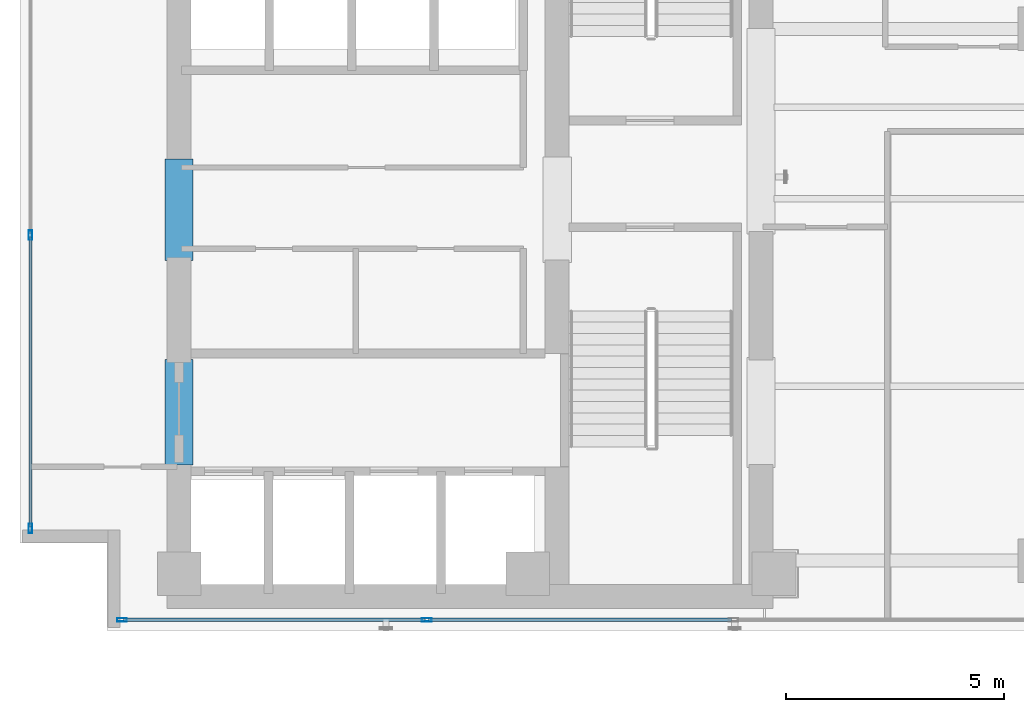
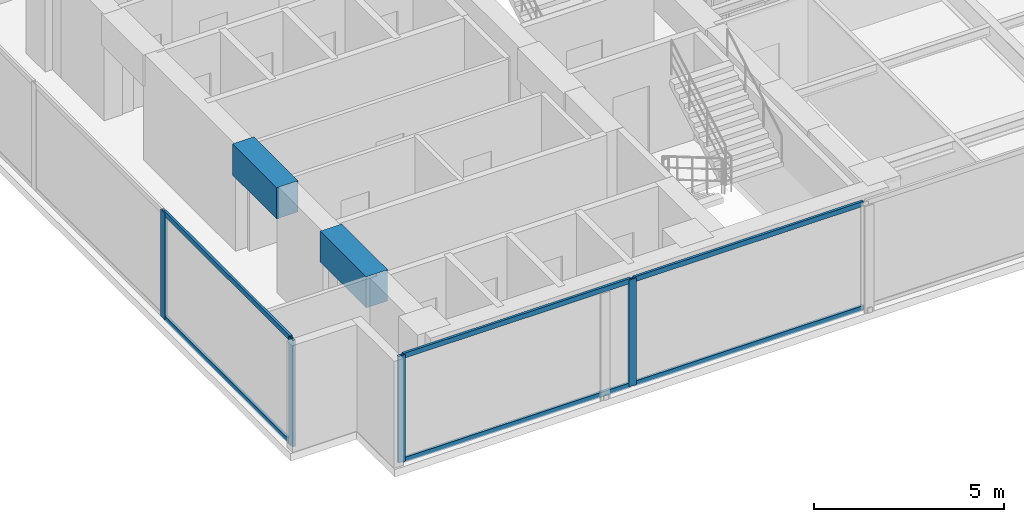
# One storey, part 2 of 24: 10 members, 2 beams, 2 elements without a shape of their own.
"""IFC4 building model written with IfcOpenShell, lengths in metres."""

from ifc_helpers import new_model, si_unit, direction, frame, origin, origin_with_axes, origin_2d, place, context, subcontext, project, spatial, rectangle, hollow_rectangle, extrude, source, transform, mapped, material, layer, layer_set, material_profile, profile_set, type_object, element, aggregate, save


model = new_model("IFC4")

# Units and contexts
model_context = context("Model", 3, precision=1e-05, world=origin(), true_north=direction((0.0, 1.0)))
body_context = subcontext(model_context, "Body", "Model", "MODEL_VIEW")
ifc_project = project(units=[si_unit("LENGTHUNIT", "METRE"), si_unit("AREAUNIT", "SQUARE_METRE"), si_unit("VOLUMEUNIT", "CUBIC_METRE"), si_unit("PLANEANGLEUNIT", "RADIAN"), si_unit("MASSUNIT", "GRAM", prefix="KILO")], contexts=[model_context])

# Site, building, storey
site_placement = place(None, origin())
site = spatial("IfcSite", under=ifc_project, at=site_placement, CompositionType="ELEMENT")
building_placement = place(site_placement, origin())
building = spatial("IfcBuilding", under=site, at=building_placement, Name="Kolvaren Waterfront Exchange", CompositionType="ELEMENT")
storey_placement = place(building_placement, frame((0.0, 0.0, 253.89990234375)))
storey = spatial("IfcBuildingStorey", under=building, at=storey_placement, Name="L65", CompositionType="ELEMENT", Elevation=253.89990234375)

# Beams
ifc_material_1 = material(Name="Concrete C60/75", Category="concrete")
ifc_material_profile_1 = material_profile(ifc_material_1, rectangle(XDim=0.64990234375, YDim=1.0, at=origin_2d()), Name="RC-CB-1000x650")
ifc_profile_set_1 = profile_set([ifc_material_profile_1], Name="Concrete C60/75")
beam_type = type_object("IfcBeamType", Name="STR-CB-1000", PredefinedType="SPANDREL", material=ifc_profile_set_1)
beam_1_placement = place(storey_placement, frame((7.449951171875, 7.389892578125, 2.920166015625), z_axis=(0.0, 1.0, 0.0), x_axis=(-1.0, 0.0, 0.0)))
element("IfcBeam", 1, at=beam_1_placement, inside=storey, type_object=beam_type, Name="L65 core coupling beam 3", PredefinedType="SPANDREL", context=body_context, shape_type="SweptSolid", body=[
    extrude(rectangle(XDim=0.64990234375, YDim=1.0, at=origin_2d()), origin(), (0.0, 0.0, 1.0), 2.420166015625),
])
beam_2_placement = place(storey_placement, frame((7.449951171875, 12.090087890625, 2.920166015625), z_axis=(0.0, 1.0, 0.0), x_axis=(-1.0, 0.0, 0.0)))
element("IfcBeam", 2, at=beam_2_placement, inside=storey, type_object=beam_type, Name="L65 core coupling beam 4", PredefinedType="SPANDREL", context=body_context, shape_type="SweptSolid", body=[
    extrude(rectangle(XDim=0.64990234375, YDim=1.0, at=origin_2d()), origin(), (0.0, 0.0, 1.0), 2.31982421875),
])

# Curtain wall, members
ifc_material_2 = material(Name="Anodised aluminium 6063-T6", Category="aluminium")
ifc_layer_1 = layer(ifc_material_2, 0.219970703125, Name="Anodised aluminium 6063-T6")
ifc_layer_set_1 = layer_set([ifc_layer_1], Name="Anodised aluminium 6063-T6")
curtain_wall_type_1 = type_object("IfcCurtainWallType", Name="ARC-CW-SYS2", PredefinedType="USERDEFINED", material=ifc_layer_set_1)
curtain_wall_1_placement = place(storey_placement, origin())
curtain_wall_1 = element("IfcCurtainWall", 3, at=curtain_wall_1_placement, inside=storey, type_object=curtain_wall_type_1, Name="L65 stick curtain wall CW2 (CW-L65-W)", ObjectType="STICK CURTAIN WALL", PredefinedType="USERDEFINED")
ifc_material_profile_2 = material_profile(ifc_material_2, hollow_rectangle(XDim=0.074951171875, YDim=0.159912109375, WallThickness=0.00439453125, at=origin_2d()), Name="ALU-TRN-160x75x4.5")
ifc_profile_set_2 = profile_set([ifc_material_profile_2], Name="Anodised aluminium 6063-T6")
member_type_1 = type_object("IfcMemberType", Name="ARC-CWT-160", PredefinedType="USERDEFINED", material=ifc_profile_set_2)
shared_shape_1 = source(origin_with_axes(), body_context, "Body", "SweptSolid", [
    extrude(hollow_rectangle(XDim=0.074951171875, YDim=0.159912109375, WallThickness=0.00439453125, at=origin_2d()), origin(), (0.0, 0.0, 1.0), 6.646728515625),
])
member_1_placement = place(storey_placement, frame((4.0400390625, 5.97998046875, 0.03759765625), z_axis=(0.0, 1.0, 0.0), x_axis=(-1.0, 0.0, 0.0)))
member_1 = element("IfcMember", 4, at=member_1_placement, type_object=member_type_1, Name="CW2 transom 1.1", ObjectType="TRANSOM", PredefinedType="USERDEFINED", context=body_context, shape_type="MappedRepresentation", body=[
    mapped(shared_shape_1, transform((0.0, 0.0, 0.0), x_axis=(1.0, 0.0, 0.0), y_axis=(0.0, 1.0, 0.0), z_axis=(0.0, 0.0, 1.0), scale=1.0)),
])
member_2_placement = place(storey_placement, frame((4.0400390625, 5.97998046875, 3.382568359375), z_axis=(0.0, 1.0, 0.0), x_axis=(-1.0, 0.0, 0.0)))
member_2 = element("IfcMember", 5, at=member_2_placement, type_object=member_type_1, Name="CW2 transom 1.2", ObjectType="TRANSOM", PredefinedType="USERDEFINED", context=body_context, shape_type="MappedRepresentation", body=[
    mapped(shared_shape_1, transform((0.0, 0.0, 0.0), x_axis=(1.0, 0.0, 0.0), y_axis=(0.0, 1.0, 0.0), z_axis=(0.0, 0.0, 1.0), scale=1.0)),
])

ifc_material_3 = material(Name="Anodised bronze aluminium 6063-T6", Category="aluminium")
ifc_layer_2 = layer(ifc_material_3, 0.219970703125, Name="Anodised bronze aluminium 6063-T6")
ifc_layer_set_2 = layer_set([ifc_layer_2], Name="Anodised bronze aluminium 6063-T6")
curtain_wall_type_2 = type_object("IfcCurtainWallType", Name="ARC-CW-SYS1", PredefinedType="USERDEFINED", material=ifc_layer_set_2)
curtain_wall_2_placement = place(storey_placement, origin())
curtain_wall_2 = element("IfcCurtainWall", 6, at=curtain_wall_2_placement, inside=storey, type_object=curtain_wall_type_2, Name="L65 stick curtain wall CW1 (CW-L65-S)", ObjectType="STICK CURTAIN WALL", PredefinedType="USERDEFINED")
shared_shape_2 = source(origin_with_axes(), body_context, "Body", "SweptSolid", [
    extrude(hollow_rectangle(XDim=0.074951171875, YDim=0.159912109375, WallThickness=0.00439453125, at=origin_2d()), origin(), (0.0, 0.0, 1.0), 6.913330078125),
])
member_3_placement = place(storey_placement, frame((6.179931640625, 3.840087890625, 0.03759765625), z_axis=(1.0, 0.0, 0.0), x_axis=(0.0, 1.0, 0.0)))
member_3 = element("IfcMember", 7, at=member_3_placement, type_object=member_type_1, Name="CW1 transom 1.1", ObjectType="TRANSOM", PredefinedType="USERDEFINED", context=body_context, shape_type="MappedRepresentation", body=[
    mapped(shared_shape_2, transform((0.0, 0.0, 0.0), x_axis=(1.0, 0.0, 0.0), y_axis=(0.0, 1.0, 0.0), z_axis=(0.0, 0.0, 1.0), scale=1.0)),
])
member_4_placement = place(storey_placement, frame((6.179931640625, 3.840087890625, 3.382568359375), z_axis=(1.0, 0.0, 0.0), x_axis=(0.0, 1.0, 0.0)))
member_4 = element("IfcMember", 8, at=member_4_placement, type_object=member_type_1, Name="CW1 transom 1.2", ObjectType="TRANSOM", PredefinedType="USERDEFINED", context=body_context, shape_type="MappedRepresentation", body=[
    mapped(shared_shape_2, transform((0.0, 0.0, 0.0), x_axis=(1.0, 0.0, 0.0), y_axis=(0.0, 1.0, 0.0), z_axis=(0.0, 0.0, 1.0), scale=1.0)),
])
shared_shape_3 = source(origin_with_axes(), body_context, "Body", "SweptSolid", [
    extrude(hollow_rectangle(XDim=0.074951171875, YDim=0.159912109375, WallThickness=0.00439453125, at=origin_2d()), origin(), (0.0, 0.0, 1.0), 6.953369140625),
])
member_5_placement = place(storey_placement, frame((13.17333984375, 3.840087890625, 0.03759765625), z_axis=(1.0, 0.0, 0.0), x_axis=(0.0, 1.0, 0.0)))
member_5 = element("IfcMember", 9, at=member_5_placement, type_object=member_type_1, Name="CW1 transom 2.1", ObjectType="TRANSOM", PredefinedType="USERDEFINED", context=body_context, shape_type="MappedRepresentation", body=[
    mapped(shared_shape_3, transform((0.0, 0.0, 0.0), x_axis=(1.0, 0.0, 0.0), y_axis=(0.0, 1.0, 0.0), z_axis=(0.0, 0.0, 1.0), scale=1.0)),
])
member_6_placement = place(storey_placement, frame((13.17333984375, 3.840087890625, 3.382568359375), z_axis=(1.0, 0.0, 0.0), x_axis=(0.0, 1.0, 0.0)))
member_6 = element("IfcMember", 10, at=member_6_placement, type_object=member_type_1, Name="CW1 transom 2.2", ObjectType="TRANSOM", PredefinedType="USERDEFINED", context=body_context, shape_type="MappedRepresentation", body=[
    mapped(shared_shape_3, transform((0.0, 0.0, 0.0), x_axis=(1.0, 0.0, 0.0), y_axis=(0.0, 1.0, 0.0), z_axis=(0.0, 0.0, 1.0), scale=1.0)),
])
ifc_material_profile_3 = material_profile(ifc_material_2, hollow_rectangle(XDim=0.080078125, YDim=0.219970703125, WallThickness=0.0048828125, at=origin_2d()), Name="ALU-MUL-220x80x5")
ifc_profile_set_3 = profile_set([ifc_material_profile_3], Name="Anodised aluminium 6063-T6")
member_type_2 = type_object("IfcMemberType", Name="ARC-CWM-220", PredefinedType="MULLION", material=ifc_profile_set_3)
shared_shape_4 = source(origin_with_axes(), body_context, "Body", "SweptSolid", [
    extrude(hollow_rectangle(XDim=0.080078125, YDim=0.219970703125, WallThickness=0.0048828125, at=origin_2d()), origin(), (0.0, 0.0, 1.0), 3.420166015625),
])
member_7_placement = place(storey_placement, frame((6.139892578125, 3.840087890625, 0.0), z_axis=(0.0, 0.0, 1.0), x_axis=(0.0, 1.0, 0.0)))
member_7 = element("IfcMember", 11, at=member_7_placement, type_object=member_type_2, Name="CW1 mullion 1", PredefinedType="MULLION", context=body_context, shape_type="MappedRepresentation", body=[
    mapped(shared_shape_4, transform((0.0, 0.0, 0.0), x_axis=(1.0, 0.0, 0.0), y_axis=(0.0, 1.0, 0.0), z_axis=(0.0, 0.0, 1.0), scale=1.0)),
])
member_8_placement = place(storey_placement, frame((13.13330078125, 3.840087890625, 0.0), z_axis=(0.0, 0.0, 1.0), x_axis=(0.0, 1.0, 0.0)))
member_8 = element("IfcMember", 12, at=member_8_placement, type_object=member_type_2, Name="CW1 mullion 2", PredefinedType="MULLION", context=body_context, shape_type="MappedRepresentation", body=[
    mapped(shared_shape_4, transform((0.0, 0.0, 0.0), x_axis=(1.0, 0.0, 0.0), y_axis=(0.0, 1.0, 0.0), z_axis=(0.0, 0.0, 1.0), scale=1.0)),
])
aggregate(curtain_wall_2, [member_7, member_8, member_3, member_4, member_5, member_6])

# Member
member_9_placement = place(storey_placement, frame((4.0400390625, 5.93994140625, 0.0), z_axis=(0.0, 0.0, 1.0), x_axis=(-1.0, 0.0, 0.0)))
member_9 = element("IfcMember", 13, at=member_9_placement, type_object=member_type_2, Name="CW2 mullion 1", PredefinedType="MULLION", context=body_context, shape_type="MappedRepresentation", body=[
    mapped(shared_shape_4, transform((0.0, 0.0, 0.0), x_axis=(1.0, 0.0, 0.0), y_axis=(0.0, 1.0, 0.0), z_axis=(0.0, 0.0, 1.0), scale=1.0)),
])

member_10_placement = place(storey_placement, frame((4.0400390625, 12.666748046875, 0.0), z_axis=(0.0, 0.0, 1.0), x_axis=(-1.0, 0.0, 0.0)))
member_10 = element("IfcMember", 14, at=member_10_placement, type_object=member_type_2, Name="CW2 mullion 2", PredefinedType="MULLION", context=body_context, shape_type="MappedRepresentation", body=[
    mapped(shared_shape_4, transform((0.0, 0.0, 0.0), x_axis=(1.0, 0.0, 0.0), y_axis=(0.0, 1.0, 0.0), z_axis=(0.0, 0.0, 1.0), scale=1.0)),
])

aggregate(curtain_wall_1, [member_9, member_10, member_1, member_2])

save(model, "model.ifc")
